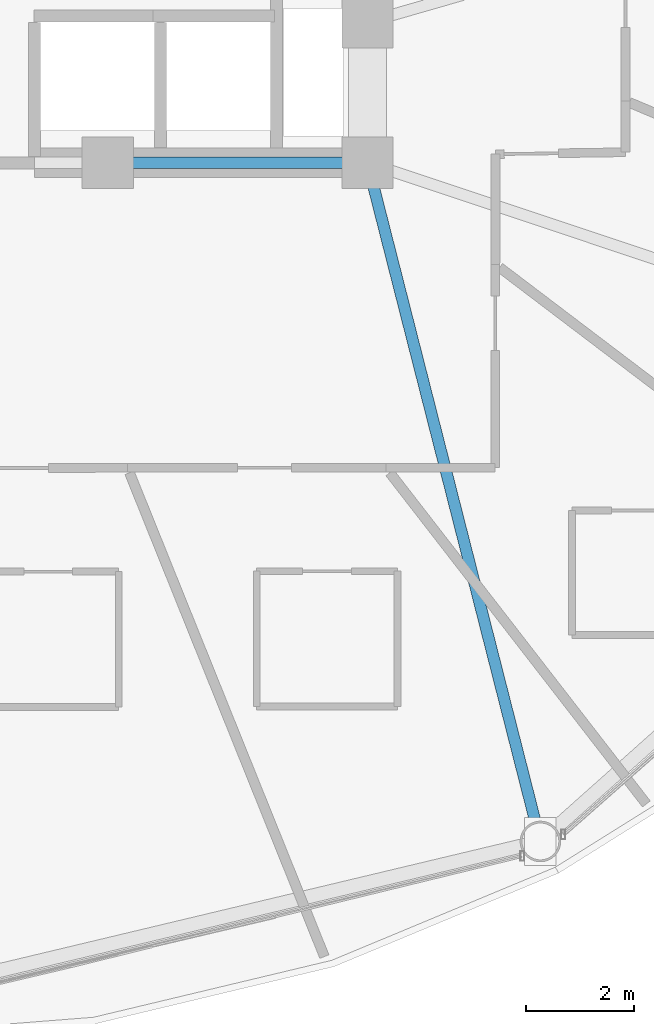
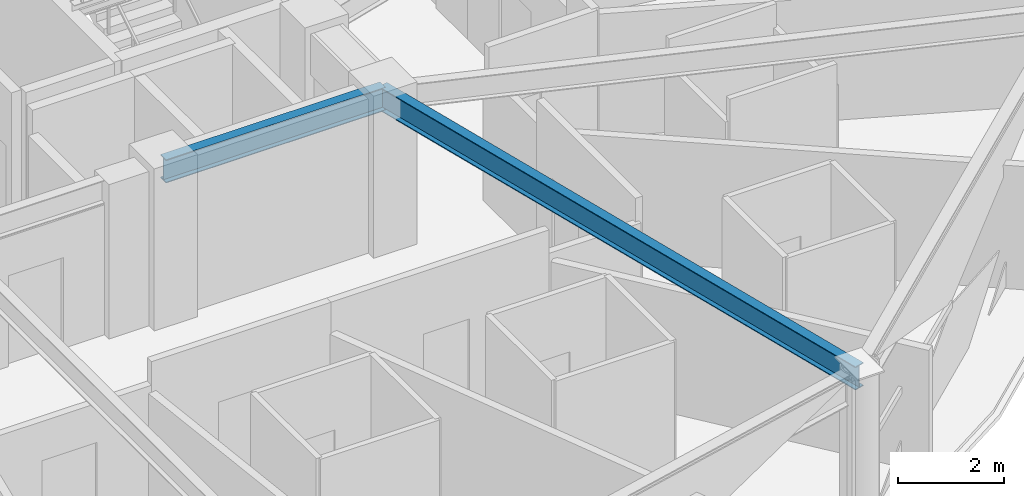
# One storey, part 10 of 32: 2 beams.
"""IFC4 building model written with IfcOpenShell, lengths in metres."""

from ifc_helpers import new_model, si_unit, direction, frame, origin, origin_2d, place, context, subcontext, project, spatial, i_section, extrude, material, material_profile, profile_set, type_object, element, save


model = new_model("IFC4")

# Units and contexts
model_context = context("Model", 3, precision=1e-05, world=origin(), true_north=direction((0.0, 1.0)))
body_context = subcontext(model_context, "Body", "Model", "MODEL_VIEW")
ifc_project = project(units=[si_unit("LENGTHUNIT", "METRE"), si_unit("AREAUNIT", "SQUARE_METRE"), si_unit("VOLUMEUNIT", "CUBIC_METRE"), si_unit("PLANEANGLEUNIT", "RADIAN"), si_unit("MASSUNIT", "GRAM", prefix="KILO")], contexts=[model_context])

# Site, building, storey
site_placement = place(None, origin())
site = spatial("IfcSite", under=ifc_project, at=site_placement, CompositionType="ELEMENT")
building_placement = place(site_placement, origin())
building = spatial("IfcBuilding", under=site, at=building_placement, Name="Vantalir Tower", CompositionType="ELEMENT")
storey_placement = place(building_placement, frame((0.0, 0.0, 108.449951171875)))
storey = spatial("IfcBuildingStorey", under=building, at=storey_placement, Name="L26", CompositionType="ELEMENT", Elevation=108.449951171875)

# Beams
ifc_material = material(Name="Steel S355", Category="steel")
ifc_material_profile = material_profile(ifc_material, i_section(OverallWidth=0.2109375, OverallDepth=0.5390625, WebThickness=0.01171875, FlangeThickness=0.018798828125, at=origin_2d()), Name="Steel S355")
ifc_profile_set = profile_set([ifc_material_profile], Name="Steel S355")
beam_type = type_object("IfcBeamType", Name="BM-RB-533x210", PredefinedType="BEAM", material=ifc_profile_set)
beam_1_placement = place(storey_placement, frame((36.300048828125, 17.800048828125, 3.300048828125), z_axis=(1.0, 0.0, 0.0), x_axis=(0.0, 1.0, 0.0)))
element("IfcBeam", 1, at=beam_1_placement, inside=storey, type_object=beam_type, Name="L26 Core Coupling Girder 04", PredefinedType="BEAM", context=body_context, shape_type="SweptSolid", body=[
    extrude(i_section(OverallWidth=0.2109375, OverallDepth=0.5390625, WebThickness=0.01171875, FlangeThickness=0.018798828125, at=origin_2d()), origin(), (0.0, 0.0, 1.0), 4.800048828125),
])
beam_2_placement = place(storey_placement, frame((44.2939453125, 5.264892578125, 3.300048828125), z_axis=(-0.246902931602, 0.969040217105, 0.0), x_axis=(-0.969040217105, -0.246902931602, 0.0)))
element("IfcBeam", 2, at=beam_2_placement, inside=storey, type_object=beam_type, Name="L26 Radial Floor Beam 11", PredefinedType="BEAM", context=body_context, shape_type="SweptSolid", body=[
    extrude(i_section(OverallWidth=0.2109375, OverallDepth=0.5390625, WebThickness=0.01171875, FlangeThickness=0.018798828125, at=origin_2d()), origin(), (0.0, 0.0, 1.0), 12.935546875),
])

save(model, "model.ifc")
